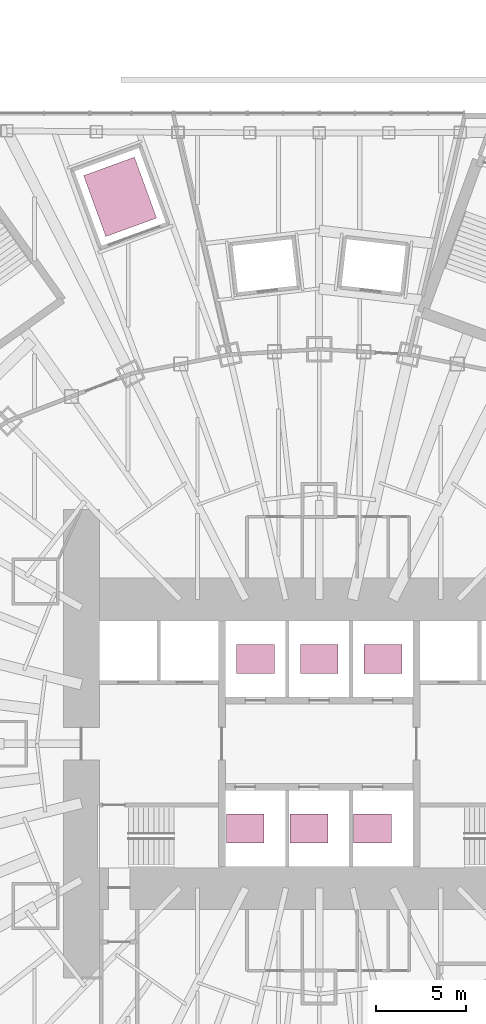
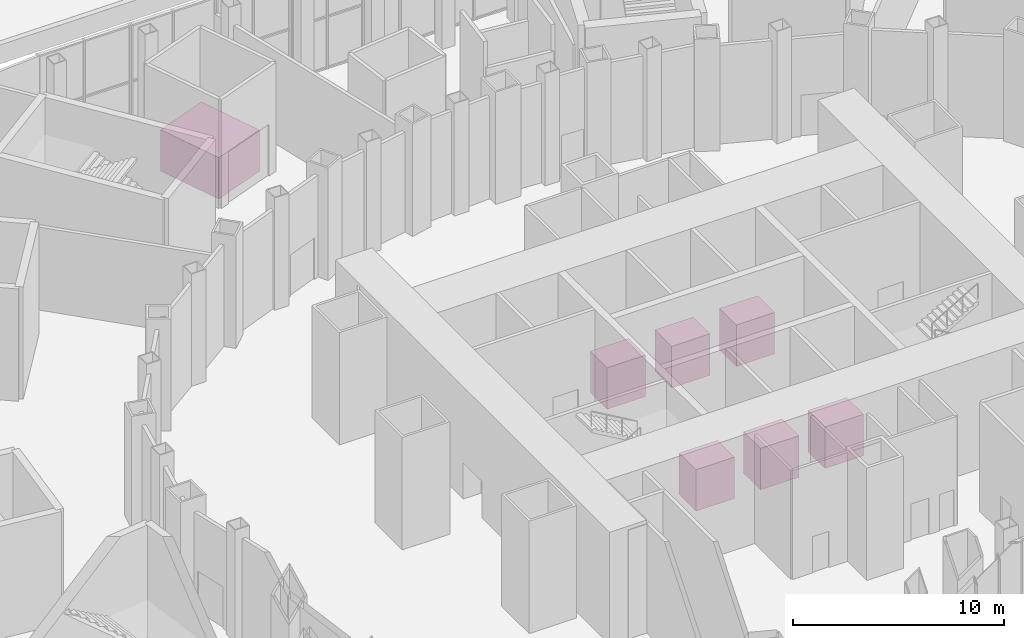
# One storey, part 47 of 47: 7 transport elements.
"""IFC4 building model written with IfcOpenShell, lengths in metres."""

from ifc_helpers import new_model, si_unit, direction, frame, origin, origin_2d, place, context, subcontext, project, spatial, rectangle, extrude, material, type_object, element, save


model = new_model("IFC4")

# Units and contexts
model_context = context("Model", 3, precision=1e-05, world=origin(), true_north=direction((0.0, 1.0)))
body_context = subcontext(model_context, "Body", "Model", "MODEL_VIEW")
ifc_project = project(units=[si_unit("LENGTHUNIT", "METRE"), si_unit("AREAUNIT", "SQUARE_METRE"), si_unit("VOLUMEUNIT", "CUBIC_METRE"), si_unit("PLANEANGLEUNIT", "RADIAN"), si_unit("MASSUNIT", "GRAM", prefix="KILO")], contexts=[model_context])

# Site, building, storey
site_placement = place(None, origin())
site = spatial("IfcSite", under=ifc_project, at=site_placement, CompositionType="ELEMENT")
building_placement = place(site_placement, origin())
building = spatial("IfcBuilding", under=site, at=building_placement, Name="Lantaw Convention Tower", CompositionType="ELEMENT")
storey_placement = place(building_placement, origin())
storey = spatial("IfcBuildingStorey", under=building, at=storey_placement, Name="L00", CompositionType="ELEMENT", Elevation=0.0)

# Transport elements
ifc_material = material(Name="Stainless steel car", Category="steel")
transport_element_type_1 = type_object("IfcTransportElementType", Name="Goods lift 3000x3600", PredefinedType="ELEVATOR", material=ifc_material)
transport_element_placement = place(storey_placement, frame((-11.04736328125, 30.35205078125, 0.0), z_axis=(0.0, 0.0, 1.0), x_axis=(-0.342020143326, 0.939692620786, 0.0)))
element("IfcTransportElement", 1, at=transport_element_placement, inside=storey, type_object=transport_element_type_1, Name="Goods lift GL1", PredefinedType="ELEVATOR", context=body_context, shape_type="SweptSolid", body=[
    extrude(rectangle(XDim=3.60009765625, YDim=3.0, at=origin_2d()), origin(), (0.0, 0.0, 1.0), 2.39990234375),
])
transport_element_type_2 = type_object("IfcTransportElementType", Name="Hotel lift 2100x1600", PredefinedType="ELEVATOR", material=ifc_material)
for number, where, z_axis, x_axis, name in (
    (2, (-4.10009765625, -4.699951171875, 0.0), (0.0, 0.0, 1.0), (1.0, 0.0, 0.0), "Hotel lift H1"),
    (3, (-0.566650390625, -4.699951171875, 0.0), (0.0, 0.0, 1.0), (1.0, 0.0, 0.0), "Hotel lift H2"),
    (4, (2.966552734375, -4.699951171875, 0.0), (0.0, 0.0, 1.0), (1.0, 0.0, 0.0), "Hotel lift H3"),
):
    element("IfcTransportElement", number, at=place(storey_placement, frame(where, z_axis=z_axis, x_axis=x_axis)), inside=storey, type_object=transport_element_type_2, Name=name, PredefinedType="ELEVATOR", context=body_context, shape_type="SweptSolid", body=[
        extrude(rectangle(XDim=2.10009765625, YDim=1.60009765625, at=origin_2d()), origin(), (0.0, 0.0, 1.0), 2.39990234375),
    ])
transport_element_type_3 = type_object("IfcTransportElementType", Name="Office low-rise lift 2100x1600", PredefinedType="ELEVATOR", material=ifc_material)
for number, where, z_axis, x_axis, name in (
    (5, (-3.533447265625, 4.699951171875, 0.0), (0.0, 0.0, 1.0), (1.0, 0.0, 0.0), "Office low-rise lift N1"),
    (6, (0.0, 4.699951171875, 0.0), (0.0, 0.0, 1.0), (1.0, 0.0, 0.0), "Office low-rise lift N2"),
    (7, (3.533447265625, 4.699951171875, 0.0), (0.0, 0.0, 1.0), (1.0, 0.0, 0.0), "Office low-rise lift N3"),
):
    element("IfcTransportElement", number, at=place(storey_placement, frame(where, z_axis=z_axis, x_axis=x_axis)), inside=storey, type_object=transport_element_type_3, Name=name, PredefinedType="ELEVATOR", context=body_context, shape_type="SweptSolid", body=[
        extrude(rectangle(XDim=2.10009765625, YDim=1.60009765625, at=origin_2d()), origin(), (0.0, 0.0, 1.0), 2.39990234375),
    ])

save(model, "model.ifc")
